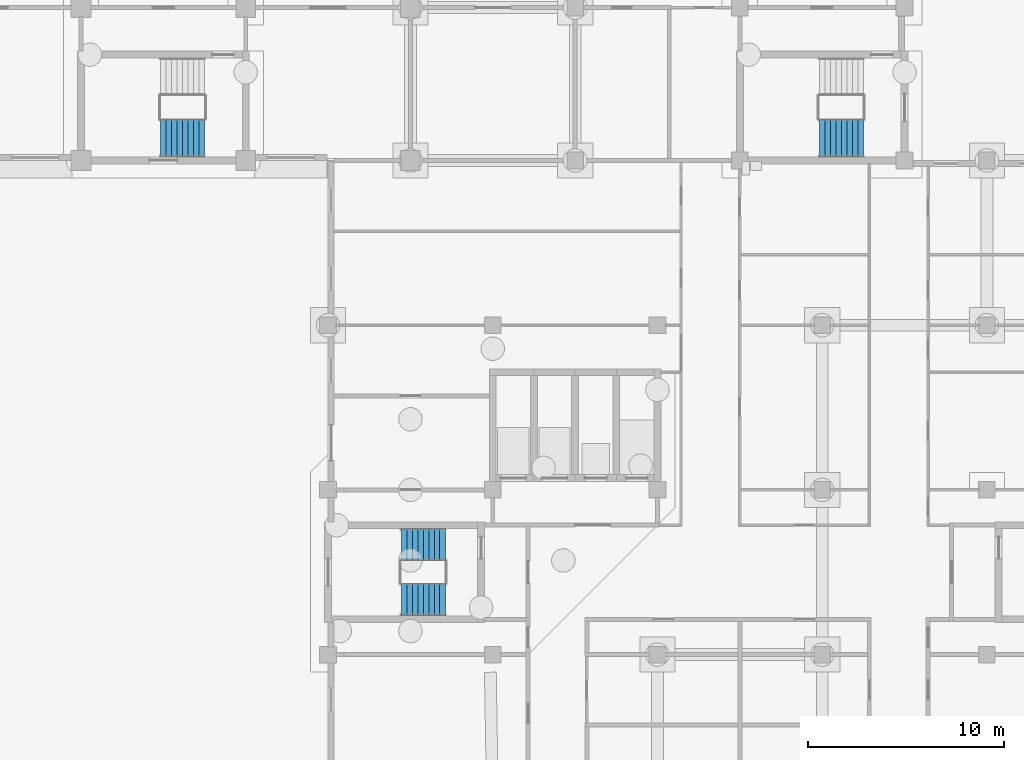
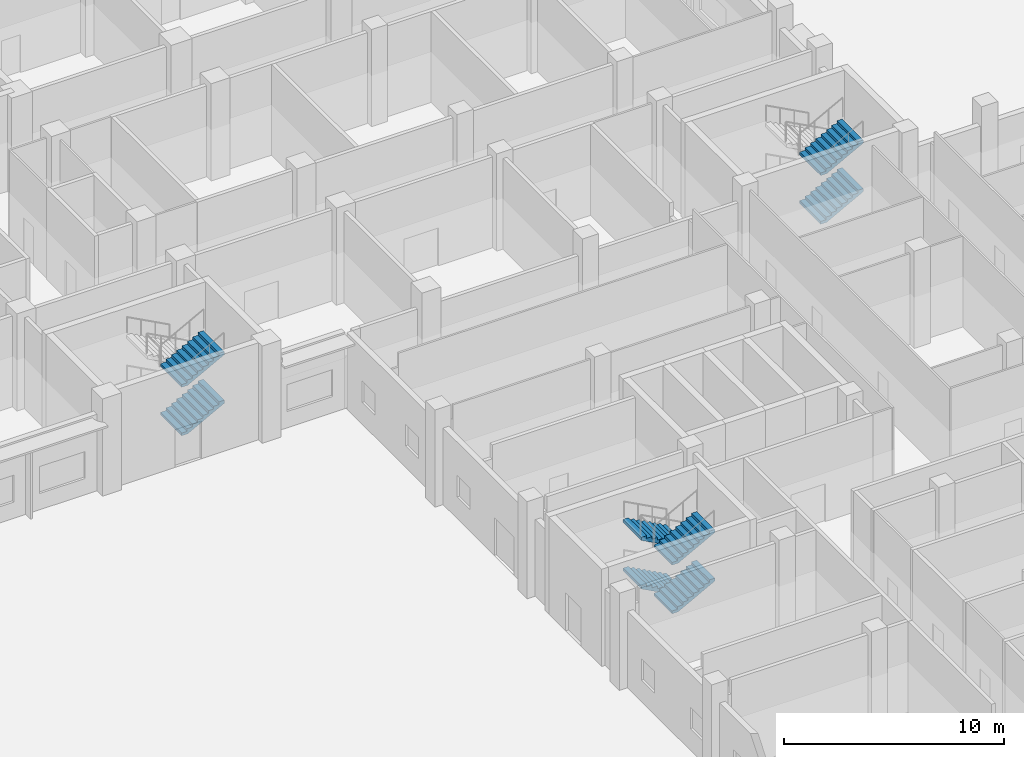
# One storey, part 99 of 146: 8 stair flights, 3 elements without a shape of their own.
"""IFC4 building model written with IfcOpenShell, lengths in metres."""

from ifc_helpers import new_model, si_unit, direction, frame, origin, place, context, subcontext, project, spatial, polyline, outline, extrude, material, type_object, element, aggregate, save


model = new_model("IFC4")

# Units and contexts
model_context = context("Model", 3, precision=1e-05, world=origin(), true_north=direction((0.0, 1.0)))
body_context = subcontext(model_context, "Body", "Model", "MODEL_VIEW")
ifc_project = project(units=[si_unit("LENGTHUNIT", "METRE"), si_unit("AREAUNIT", "SQUARE_METRE"), si_unit("VOLUMEUNIT", "CUBIC_METRE"), si_unit("PLANEANGLEUNIT", "RADIAN"), si_unit("MASSUNIT", "GRAM", prefix="KILO")], contexts=[model_context])

# Site, building, storey
site_placement = place(None, origin())
site = spatial("IfcSite", under=ifc_project, at=site_placement, CompositionType="ELEMENT")
building_placement = place(site_placement, origin())
building = spatial("IfcBuilding", under=site, at=building_placement, Name="Bougainvillea Quay General Hospital", CompositionType="ELEMENT")
storey_placement = place(building_placement, origin())
storey = spatial("IfcBuildingStorey", under=building, at=storey_placement, Name="L00", CompositionType="ELEMENT", Elevation=0.0)

# Stair, stair flights
ifc_material = material(Name="Concrete C35", Category="concrete")
stair_type_1 = type_object("IfcStairType", Name="Stair half-turn 1650 wide", PredefinedType="HALF_TURN_STAIR", material=ifc_material)
stair_1_placement = place(storey_placement, origin())
stair_1 = element("IfcStair", 1, at=stair_1_placement, inside=storey, type_object=stair_type_1, Name="L00 stair ST-T1", PredefinedType="HALF_TURN_STAIR")
stair_flight_type_1 = type_object("IfcStairFlightType", Name="Stair flight 1650", PredefinedType="STRAIGHT", material=ifc_material)
stair_flight_1_placement = place(storey_placement, frame((169.77490234375, 98.0, 0.0), z_axis=(0.0, 0.0, 1.0), x_axis=(-1.0, 0.0, 0.0)))
stair_flight_1 = element("IfcStairFlight", 2, at=stair_flight_1_placement, type_object=stair_flight_type_1, Name="ST-T1 flight 1", NumberOfRisers=9, NumberOfTreads=8, PredefinedType="STRAIGHT", RiserHeight=0.15, TreadLength=0.28, context=body_context, shape_type="SweptSolid", body=[
    extrude(outline(polyline([(-0.0029296875, 0.0), (-0.0029296875, 0.003662109375), (-0.0029296875, 0.00732421875), (-0.0029296875, 0.010986328125), (-0.0029296875, 0.0146484375), (-0.0029296875, 0.018310546875), (-0.0029296875, 0.02197265625), (-0.0029296875, 0.025634765625), (-0.0029296875, 0.029296875), (-0.0029296875, 0.032958984375), (-0.0029296875, 0.03662109375), (-0.0029296875, 0.040283203125), (-0.0029296875, 0.0439453125), (-0.0029296875, 0.047607421875), (-0.0029296875, 0.05126953125), (-0.0029296875, 0.054931640625), (-0.0029296875, 0.05859375), (-0.0029296875, 0.062255859375), (-0.0029296875, 0.06591796875), (-0.0029296875, 0.069580078125), (-0.0029296875, 0.0732421875), (-0.0029296875, 0.076904296875), (-0.0029296875, 0.08056640625), (-0.0029296875, 0.084228515625), (-0.0029296875, 0.087890625), (-0.0029296875, 0.091552734375), (-0.0029296875, 0.09521484375), (-0.0029296875, 0.098876953125), (-0.0029296875, 0.1025390625), (-0.0029296875, 0.106201171875), (-0.0029296875, 0.10986328125), (-0.0029296875, 0.113525390625), (-0.0029296875, 0.1171875), (-0.0029296875, 0.120849609375), (-0.0029296875, 0.12451171875), (-0.0029296875, 0.1279296875), (-0.0029296875, 0.131591796875), (-0.0029296875, 0.13525390625), (-0.0029296875, 0.138916015625), (-0.0029296875, 0.142578125), (-0.0029296875, 0.146240234375), (-0.0029296875, 0.14990234375), (0.280029296875, 0.14990234375), (0.280029296875, 0.300048828125), (0.56005859375, 0.300048828125), (0.56005859375, 0.449951171875), (0.840087890625, 0.449951171875), (0.840087890625, 0.60009765625), (1.1201171875, 0.60009765625), (1.1201171875, 0.75), (1.39990234375, 0.75), (1.39990234375, 0.89990234375), (1.679931640625, 0.89990234375), (1.679931640625, 1.050048828125), (1.9599609375, 1.050048828125), (1.9599609375, 1.199951171875), (2.242919921875, 1.199951171875), (2.242919921875, 1.19580078125), (2.242919921875, 1.191650390625), (2.242919921875, 1.1875), (2.242919921875, 1.183349609375), (2.242919921875, 1.17919921875), (2.242919921875, 1.175048828125), (2.242919921875, 1.1708984375), (2.242919921875, 1.166748046875), (2.242919921875, 1.16259765625), (2.242919921875, 1.158447265625), (2.242919921875, 1.154296875), (2.242919921875, 1.150146484375), (2.242919921875, 1.14599609375), (2.242919921875, 1.141845703125), (2.242919921875, 1.1376953125), (2.242919921875, 1.133544921875), (2.242919921875, 1.12939453125), (2.242919921875, 1.125244140625), (2.242919921875, 1.12109375), (2.242919921875, 1.116943359375), (2.242919921875, 1.11279296875), (2.242919921875, 1.108642578125), (2.242919921875, 1.1044921875), (2.242919921875, 1.100341796875), (2.242919921875, 1.09619140625), (2.242919921875, 1.092041015625), (2.242919921875, 1.087890625), (2.242919921875, 1.083984375), (2.242919921875, 1.079833984375), (2.242919921875, 1.07568359375), (2.242919921875, 1.071533203125), (2.242919921875, 1.0673828125), (2.242919921875, 1.063232421875), (2.242919921875, 1.05908203125), (2.242919921875, 1.054931640625), (2.242919921875, 1.05078125), (2.242919921875, 1.046630859375), (2.242919921875, 1.04248046875), (2.242919921875, 1.038330078125), (2.242919921875, 1.0341796875), (2.242919921875, 1.030029296875), (0.3173828125, 0.0), (-0.0029296875, 0.0)])), frame((0.0, 0.824951171875, 0.0), z_axis=(0.0, -1.0, 0.0), x_axis=(1.0, 0.0, 0.0)), (0.0, 0.0, 1.0), 1.64990234375),
])
stair_flight_2_placement = place(storey_placement, frame((167.534912109375, 95.199951171875, 1.35009765625), z_axis=(0.0, 0.0, 1.0), x_axis=(1.0, 0.0, 0.0)))
stair_flight_2 = element("IfcStairFlight", 3, at=stair_flight_2_placement, type_object=stair_flight_type_1, Name="ST-T1 flight 2", NumberOfRisers=9, NumberOfTreads=8, PredefinedType="STRAIGHT", RiserHeight=0.15, TreadLength=0.28, context=body_context, shape_type="SweptSolid", body=[
    extrude(outline(polyline([(-0.0029296875, 0.0), (-0.0029296875, 0.003662109375), (-0.0029296875, 0.00732421875), (-0.0029296875, 0.010986328125), (-0.0029296875, 0.0146484375), (-0.0029296875, 0.018310546875), (-0.0029296875, 0.02197265625), (-0.0029296875, 0.025634765625), (-0.0029296875, 0.029296875), (-0.0029296875, 0.032958984375), (-0.0029296875, 0.03662109375), (-0.0029296875, 0.040283203125), (-0.0029296875, 0.0439453125), (-0.0029296875, 0.047607421875), (-0.0029296875, 0.05126953125), (-0.0029296875, 0.054931640625), (-0.0029296875, 0.05859375), (-0.0029296875, 0.062255859375), (-0.0029296875, 0.06591796875), (-0.0029296875, 0.069580078125), (-0.0029296875, 0.0732421875), (-0.0029296875, 0.076904296875), (-0.0029296875, 0.08056640625), (-0.0029296875, 0.084228515625), (-0.0029296875, 0.087890625), (-0.0029296875, 0.091552734375), (-0.0029296875, 0.09521484375), (-0.0029296875, 0.098876953125), (-0.0029296875, 0.1025390625), (-0.0029296875, 0.106201171875), (-0.0029296875, 0.10986328125), (-0.0029296875, 0.113525390625), (-0.0029296875, 0.1171875), (-0.0029296875, 0.120849609375), (-0.0029296875, 0.12451171875), (-0.0029296875, 0.1279296875), (-0.0029296875, 0.131591796875), (-0.0029296875, 0.13525390625), (-0.0029296875, 0.138916015625), (-0.0029296875, 0.142578125), (-0.0029296875, 0.146240234375), (-0.0029296875, 0.14990234375), (0.280029296875, 0.14990234375), (0.280029296875, 0.300048828125), (0.56005859375, 0.300048828125), (0.56005859375, 0.449951171875), (0.840087890625, 0.449951171875), (0.840087890625, 0.60009765625), (1.1201171875, 0.60009765625), (1.1201171875, 0.75), (1.39990234375, 0.75), (1.39990234375, 0.89990234375), (1.679931640625, 0.89990234375), (1.679931640625, 1.050048828125), (1.9599609375, 1.050048828125), (1.9599609375, 1.199951171875), (2.242919921875, 1.199951171875), (2.242919921875, 1.19580078125), (2.242919921875, 1.191650390625), (2.242919921875, 1.1875), (2.242919921875, 1.183349609375), (2.242919921875, 1.17919921875), (2.242919921875, 1.175048828125), (2.242919921875, 1.1708984375), (2.242919921875, 1.166748046875), (2.242919921875, 1.16259765625), (2.242919921875, 1.158447265625), (2.242919921875, 1.154296875), (2.242919921875, 1.150146484375), (2.242919921875, 1.14599609375), (2.242919921875, 1.141845703125), (2.242919921875, 1.1376953125), (2.242919921875, 1.133544921875), (2.242919921875, 1.12939453125), (2.242919921875, 1.125244140625), (2.242919921875, 1.12109375), (2.242919921875, 1.116943359375), (2.242919921875, 1.11279296875), (2.242919921875, 1.108642578125), (2.242919921875, 1.1044921875), (2.242919921875, 1.100341796875), (2.242919921875, 1.09619140625), (2.242919921875, 1.092041015625), (2.242919921875, 1.087890625), (2.242919921875, 1.083984375), (2.242919921875, 1.079833984375), (2.242919921875, 1.07568359375), (2.242919921875, 1.071533203125), (2.242919921875, 1.0673828125), (2.242919921875, 1.063232421875), (2.242919921875, 1.05908203125), (2.242919921875, 1.054931640625), (2.242919921875, 1.05078125), (2.242919921875, 1.046630859375), (2.242919921875, 1.04248046875), (2.242919921875, 1.038330078125), (2.242919921875, 1.0341796875), (2.242919921875, 1.030029296875), (0.3173828125, 0.0), (-0.0029296875, 0.0)])), frame((0.0, 0.824951171875, 0.0), z_axis=(0.0, -1.0, 0.0), x_axis=(1.0, 0.0, 0.0)), (0.0, 0.0, 1.0), 1.64990234375),
])
stair_flight_3_placement = place(storey_placement, frame((169.77490234375, 98.0, 2.699951171875), z_axis=(0.0, 0.0, 1.0), x_axis=(-1.0, 0.0, 0.0)))
stair_flight_3 = element("IfcStairFlight", 4, at=stair_flight_3_placement, type_object=stair_flight_type_1, Name="ST-T1 flight 3", NumberOfRisers=9, NumberOfTreads=8, PredefinedType="STRAIGHT", RiserHeight=0.15, TreadLength=0.28, context=body_context, shape_type="SweptSolid", body=[
    extrude(outline(polyline([(-0.0029296875, 0.0), (-0.0029296875, 0.003662109375), (-0.0029296875, 0.00732421875), (-0.0029296875, 0.010986328125), (-0.0029296875, 0.0146484375), (-0.0029296875, 0.018310546875), (-0.0029296875, 0.02197265625), (-0.0029296875, 0.025634765625), (-0.0029296875, 0.029296875), (-0.0029296875, 0.032958984375), (-0.0029296875, 0.03662109375), (-0.0029296875, 0.040283203125), (-0.0029296875, 0.0439453125), (-0.0029296875, 0.047607421875), (-0.0029296875, 0.05126953125), (-0.0029296875, 0.054931640625), (-0.0029296875, 0.05859375), (-0.0029296875, 0.062255859375), (-0.0029296875, 0.06591796875), (-0.0029296875, 0.069580078125), (-0.0029296875, 0.0732421875), (-0.0029296875, 0.076904296875), (-0.0029296875, 0.08056640625), (-0.0029296875, 0.084228515625), (-0.0029296875, 0.087890625), (-0.0029296875, 0.091552734375), (-0.0029296875, 0.09521484375), (-0.0029296875, 0.098876953125), (-0.0029296875, 0.1025390625), (-0.0029296875, 0.106201171875), (-0.0029296875, 0.10986328125), (-0.0029296875, 0.113525390625), (-0.0029296875, 0.1171875), (-0.0029296875, 0.120849609375), (-0.0029296875, 0.12451171875), (-0.0029296875, 0.1279296875), (-0.0029296875, 0.131591796875), (-0.0029296875, 0.13525390625), (-0.0029296875, 0.138916015625), (-0.0029296875, 0.142578125), (-0.0029296875, 0.146240234375), (-0.0029296875, 0.14990234375), (0.280029296875, 0.14990234375), (0.280029296875, 0.300048828125), (0.56005859375, 0.300048828125), (0.56005859375, 0.449951171875), (0.840087890625, 0.449951171875), (0.840087890625, 0.60009765625), (1.1201171875, 0.60009765625), (1.1201171875, 0.75), (1.39990234375, 0.75), (1.39990234375, 0.89990234375), (1.679931640625, 0.89990234375), (1.679931640625, 1.050048828125), (1.9599609375, 1.050048828125), (1.9599609375, 1.199951171875), (2.242919921875, 1.199951171875), (2.242919921875, 1.19580078125), (2.242919921875, 1.191650390625), (2.242919921875, 1.1875), (2.242919921875, 1.183349609375), (2.242919921875, 1.17919921875), (2.242919921875, 1.175048828125), (2.242919921875, 1.1708984375), (2.242919921875, 1.166748046875), (2.242919921875, 1.16259765625), (2.242919921875, 1.158447265625), (2.242919921875, 1.154296875), (2.242919921875, 1.150146484375), (2.242919921875, 1.14599609375), (2.242919921875, 1.141845703125), (2.242919921875, 1.1376953125), (2.242919921875, 1.133544921875), (2.242919921875, 1.12939453125), (2.242919921875, 1.125244140625), (2.242919921875, 1.12109375), (2.242919921875, 1.116943359375), (2.242919921875, 1.11279296875), (2.242919921875, 1.108642578125), (2.242919921875, 1.1044921875), (2.242919921875, 1.100341796875), (2.242919921875, 1.09619140625), (2.242919921875, 1.092041015625), (2.242919921875, 1.087890625), (2.242919921875, 1.083984375), (2.242919921875, 1.079833984375), (2.242919921875, 1.07568359375), (2.242919921875, 1.071533203125), (2.242919921875, 1.0673828125), (2.242919921875, 1.063232421875), (2.242919921875, 1.05908203125), (2.242919921875, 1.054931640625), (2.242919921875, 1.05078125), (2.242919921875, 1.046630859375), (2.242919921875, 1.04248046875), (2.242919921875, 1.038330078125), (2.242919921875, 1.0341796875), (2.242919921875, 1.030029296875), (0.3173828125, 0.0), (-0.0029296875, 0.0)])), frame((0.0, 0.824951171875, 0.0), z_axis=(0.0, -1.0, 0.0), x_axis=(1.0, 0.0, 0.0)), (0.0, 0.0, 1.0), 1.64990234375),
])
stair_flight_4_placement = place(storey_placement, frame((167.534912109375, 95.199951171875, 4.050048828125), z_axis=(0.0, 0.0, 1.0), x_axis=(1.0, 0.0, 0.0)))
stair_flight_4 = element("IfcStairFlight", 5, at=stair_flight_4_placement, type_object=stair_flight_type_1, Name="ST-T1 flight 4", NumberOfRisers=9, NumberOfTreads=8, PredefinedType="STRAIGHT", RiserHeight=0.15, TreadLength=0.28, context=body_context, shape_type="SweptSolid", body=[
    extrude(outline(polyline([(-0.0029296875, 0.0), (-0.0029296875, 0.003662109375), (-0.0029296875, 0.00732421875), (-0.0029296875, 0.010986328125), (-0.0029296875, 0.0146484375), (-0.0029296875, 0.018310546875), (-0.0029296875, 0.02197265625), (-0.0029296875, 0.025634765625), (-0.0029296875, 0.029296875), (-0.0029296875, 0.032958984375), (-0.0029296875, 0.03662109375), (-0.0029296875, 0.040283203125), (-0.0029296875, 0.0439453125), (-0.0029296875, 0.047607421875), (-0.0029296875, 0.05126953125), (-0.0029296875, 0.054931640625), (-0.0029296875, 0.05859375), (-0.0029296875, 0.062255859375), (-0.0029296875, 0.06591796875), (-0.0029296875, 0.069580078125), (-0.0029296875, 0.0732421875), (-0.0029296875, 0.076904296875), (-0.0029296875, 0.08056640625), (-0.0029296875, 0.084228515625), (-0.0029296875, 0.087890625), (-0.0029296875, 0.091552734375), (-0.0029296875, 0.09521484375), (-0.0029296875, 0.098876953125), (-0.0029296875, 0.1025390625), (-0.0029296875, 0.106201171875), (-0.0029296875, 0.10986328125), (-0.0029296875, 0.113525390625), (-0.0029296875, 0.1171875), (-0.0029296875, 0.120849609375), (-0.0029296875, 0.12451171875), (-0.0029296875, 0.1279296875), (-0.0029296875, 0.131591796875), (-0.0029296875, 0.13525390625), (-0.0029296875, 0.138916015625), (-0.0029296875, 0.142578125), (-0.0029296875, 0.146240234375), (-0.0029296875, 0.14990234375), (0.280029296875, 0.14990234375), (0.280029296875, 0.300048828125), (0.56005859375, 0.300048828125), (0.56005859375, 0.449951171875), (0.840087890625, 0.449951171875), (0.840087890625, 0.60009765625), (1.1201171875, 0.60009765625), (1.1201171875, 0.75), (1.39990234375, 0.75), (1.39990234375, 0.89990234375), (1.679931640625, 0.89990234375), (1.679931640625, 1.050048828125), (1.9599609375, 1.050048828125), (1.9599609375, 1.199951171875), (2.242919921875, 1.199951171875), (2.242919921875, 1.19580078125), (2.242919921875, 1.191650390625), (2.242919921875, 1.1875), (2.242919921875, 1.183349609375), (2.242919921875, 1.17919921875), (2.242919921875, 1.175048828125), (2.242919921875, 1.1708984375), (2.242919921875, 1.166748046875), (2.242919921875, 1.16259765625), (2.242919921875, 1.158447265625), (2.242919921875, 1.154296875), (2.242919921875, 1.150146484375), (2.242919921875, 1.14599609375), (2.242919921875, 1.141845703125), (2.242919921875, 1.1376953125), (2.242919921875, 1.133544921875), (2.242919921875, 1.12939453125), (2.242919921875, 1.125244140625), (2.242919921875, 1.12109375), (2.242919921875, 1.116943359375), (2.242919921875, 1.11279296875), (2.242919921875, 1.108642578125), (2.242919921875, 1.1044921875), (2.242919921875, 1.100341796875), (2.242919921875, 1.09619140625), (2.242919921875, 1.092041015625), (2.242919921875, 1.087890625), (2.242919921875, 1.083984375), (2.242919921875, 1.079833984375), (2.242919921875, 1.07568359375), (2.242919921875, 1.071533203125), (2.242919921875, 1.0673828125), (2.242919921875, 1.063232421875), (2.242919921875, 1.05908203125), (2.242919921875, 1.054931640625), (2.242919921875, 1.05078125), (2.242919921875, 1.046630859375), (2.242919921875, 1.04248046875), (2.242919921875, 1.038330078125), (2.242919921875, 1.0341796875), (2.242919921875, 1.030029296875), (0.3173828125, 0.0), (-0.0029296875, 0.0)])), frame((0.0, 0.824951171875, 0.0), z_axis=(0.0, -1.0, 0.0), x_axis=(1.0, 0.0, 0.0)), (0.0, 0.0, 1.0), 1.64990234375),
])
aggregate(stair_1, [stair_flight_1, stair_flight_2, stair_flight_3, stair_flight_4])

stair_type_2 = type_object("IfcStairType", Name="Stair half-turn 1925 wide", PredefinedType="HALF_TURN_STAIR", material=ifc_material)
stair_2_placement = place(storey_placement, origin())
stair_2 = element("IfcStair", 6, at=stair_2_placement, inside=storey, type_object=stair_type_2, Name="L00 stair ST-D4", PredefinedType="HALF_TURN_STAIR")
stair_flight_type_2 = type_object("IfcStairFlightType", Name="Stair flight 1925", PredefinedType="STRAIGHT", material=ifc_material)
stair_flight_5_placement = place(storey_placement, frame((188.860107421875, 118.737548828125, 1.35009765625), z_axis=(0.0, 0.0, 1.0), x_axis=(1.0, 0.0, 0.0)))
stair_flight_5 = element("IfcStairFlight", 7, at=stair_flight_5_placement, type_object=stair_flight_type_2, Name="ST-D4 flight 2", NumberOfRisers=9, NumberOfTreads=8, PredefinedType="STRAIGHT", RiserHeight=0.15, TreadLength=0.28, context=body_context, shape_type="SweptSolid", body=[
    extrude(outline(polyline([(-0.0029296875, 0.0), (-0.0029296875, 0.003662109375), (-0.0029296875, 0.00732421875), (-0.0029296875, 0.010986328125), (-0.0029296875, 0.0146484375), (-0.0029296875, 0.018310546875), (-0.0029296875, 0.02197265625), (-0.0029296875, 0.025634765625), (-0.0029296875, 0.029296875), (-0.0029296875, 0.032958984375), (-0.0029296875, 0.03662109375), (-0.0029296875, 0.040283203125), (-0.0029296875, 0.0439453125), (-0.0029296875, 0.047607421875), (-0.0029296875, 0.05126953125), (-0.0029296875, 0.054931640625), (-0.0029296875, 0.05859375), (-0.0029296875, 0.062255859375), (-0.0029296875, 0.06591796875), (-0.0029296875, 0.069580078125), (-0.0029296875, 0.0732421875), (-0.0029296875, 0.076904296875), (-0.0029296875, 0.08056640625), (-0.0029296875, 0.084228515625), (-0.0029296875, 0.087890625), (-0.0029296875, 0.091552734375), (-0.0029296875, 0.09521484375), (-0.0029296875, 0.098876953125), (-0.0029296875, 0.1025390625), (-0.0029296875, 0.106201171875), (-0.0029296875, 0.10986328125), (-0.0029296875, 0.113525390625), (-0.0029296875, 0.1171875), (-0.0029296875, 0.120849609375), (-0.0029296875, 0.12451171875), (-0.0029296875, 0.1279296875), (-0.0029296875, 0.131591796875), (-0.0029296875, 0.13525390625), (-0.0029296875, 0.138916015625), (-0.0029296875, 0.142578125), (-0.0029296875, 0.146240234375), (-0.0029296875, 0.14990234375), (0.280029296875, 0.14990234375), (0.280029296875, 0.300048828125), (0.56005859375, 0.300048828125), (0.56005859375, 0.449951171875), (0.840087890625, 0.449951171875), (0.840087890625, 0.60009765625), (1.1201171875, 0.60009765625), (1.1201171875, 0.75), (1.39990234375, 0.75), (1.39990234375, 0.89990234375), (1.679931640625, 0.89990234375), (1.679931640625, 1.050048828125), (1.9599609375, 1.050048828125), (1.9599609375, 1.199951171875), (2.242919921875, 1.199951171875), (2.242919921875, 1.19580078125), (2.242919921875, 1.191650390625), (2.242919921875, 1.1875), (2.242919921875, 1.183349609375), (2.242919921875, 1.17919921875), (2.242919921875, 1.175048828125), (2.242919921875, 1.1708984375), (2.242919921875, 1.166748046875), (2.242919921875, 1.16259765625), (2.242919921875, 1.158447265625), (2.242919921875, 1.154296875), (2.242919921875, 1.150146484375), (2.242919921875, 1.14599609375), (2.242919921875, 1.141845703125), (2.242919921875, 1.1376953125), (2.242919921875, 1.133544921875), (2.242919921875, 1.12939453125), (2.242919921875, 1.125244140625), (2.242919921875, 1.12109375), (2.242919921875, 1.116943359375), (2.242919921875, 1.11279296875), (2.242919921875, 1.108642578125), (2.242919921875, 1.1044921875), (2.242919921875, 1.100341796875), (2.242919921875, 1.09619140625), (2.242919921875, 1.092041015625), (2.242919921875, 1.087890625), (2.242919921875, 1.083984375), (2.242919921875, 1.079833984375), (2.242919921875, 1.07568359375), (2.242919921875, 1.071533203125), (2.242919921875, 1.0673828125), (2.242919921875, 1.063232421875), (2.242919921875, 1.05908203125), (2.242919921875, 1.054931640625), (2.242919921875, 1.05078125), (2.242919921875, 1.046630859375), (2.242919921875, 1.04248046875), (2.242919921875, 1.038330078125), (2.242919921875, 1.0341796875), (2.242919921875, 1.030029296875), (0.3173828125, 0.0), (-0.0029296875, 0.0)])), frame((0.0, 0.96240234375, 0.0), z_axis=(0.0, -1.0, 0.0), x_axis=(1.0, 0.0, 0.0)), (0.0, 0.0, 1.0), 1.925048828125),
])
stair_flight_6_placement = place(storey_placement, frame((188.860107421875, 118.737548828125, 4.050048828125), z_axis=(0.0, 0.0, 1.0), x_axis=(1.0, 0.0, 0.0)))
stair_flight_6 = element("IfcStairFlight", 8, at=stair_flight_6_placement, type_object=stair_flight_type_2, Name="ST-D4 flight 4", NumberOfRisers=9, NumberOfTreads=8, PredefinedType="STRAIGHT", RiserHeight=0.15, TreadLength=0.28, context=body_context, shape_type="SweptSolid", body=[
    extrude(outline(polyline([(-0.0029296875, 0.0), (-0.0029296875, 0.003662109375), (-0.0029296875, 0.00732421875), (-0.0029296875, 0.010986328125), (-0.0029296875, 0.0146484375), (-0.0029296875, 0.018310546875), (-0.0029296875, 0.02197265625), (-0.0029296875, 0.025634765625), (-0.0029296875, 0.029296875), (-0.0029296875, 0.032958984375), (-0.0029296875, 0.03662109375), (-0.0029296875, 0.040283203125), (-0.0029296875, 0.0439453125), (-0.0029296875, 0.047607421875), (-0.0029296875, 0.05126953125), (-0.0029296875, 0.054931640625), (-0.0029296875, 0.05859375), (-0.0029296875, 0.062255859375), (-0.0029296875, 0.06591796875), (-0.0029296875, 0.069580078125), (-0.0029296875, 0.0732421875), (-0.0029296875, 0.076904296875), (-0.0029296875, 0.08056640625), (-0.0029296875, 0.084228515625), (-0.0029296875, 0.087890625), (-0.0029296875, 0.091552734375), (-0.0029296875, 0.09521484375), (-0.0029296875, 0.098876953125), (-0.0029296875, 0.1025390625), (-0.0029296875, 0.106201171875), (-0.0029296875, 0.10986328125), (-0.0029296875, 0.113525390625), (-0.0029296875, 0.1171875), (-0.0029296875, 0.120849609375), (-0.0029296875, 0.12451171875), (-0.0029296875, 0.1279296875), (-0.0029296875, 0.131591796875), (-0.0029296875, 0.13525390625), (-0.0029296875, 0.138916015625), (-0.0029296875, 0.142578125), (-0.0029296875, 0.146240234375), (-0.0029296875, 0.14990234375), (0.280029296875, 0.14990234375), (0.280029296875, 0.300048828125), (0.56005859375, 0.300048828125), (0.56005859375, 0.449951171875), (0.840087890625, 0.449951171875), (0.840087890625, 0.60009765625), (1.1201171875, 0.60009765625), (1.1201171875, 0.75), (1.39990234375, 0.75), (1.39990234375, 0.89990234375), (1.679931640625, 0.89990234375), (1.679931640625, 1.050048828125), (1.9599609375, 1.050048828125), (1.9599609375, 1.199951171875), (2.242919921875, 1.199951171875), (2.242919921875, 1.19580078125), (2.242919921875, 1.191650390625), (2.242919921875, 1.1875), (2.242919921875, 1.183349609375), (2.242919921875, 1.17919921875), (2.242919921875, 1.175048828125), (2.242919921875, 1.1708984375), (2.242919921875, 1.166748046875), (2.242919921875, 1.16259765625), (2.242919921875, 1.158447265625), (2.242919921875, 1.154296875), (2.242919921875, 1.150146484375), (2.242919921875, 1.14599609375), (2.242919921875, 1.141845703125), (2.242919921875, 1.1376953125), (2.242919921875, 1.133544921875), (2.242919921875, 1.12939453125), (2.242919921875, 1.125244140625), (2.242919921875, 1.12109375), (2.242919921875, 1.116943359375), (2.242919921875, 1.11279296875), (2.242919921875, 1.108642578125), (2.242919921875, 1.1044921875), (2.242919921875, 1.100341796875), (2.242919921875, 1.09619140625), (2.242919921875, 1.092041015625), (2.242919921875, 1.087890625), (2.242919921875, 1.083984375), (2.242919921875, 1.079833984375), (2.242919921875, 1.07568359375), (2.242919921875, 1.071533203125), (2.242919921875, 1.0673828125), (2.242919921875, 1.063232421875), (2.242919921875, 1.05908203125), (2.242919921875, 1.054931640625), (2.242919921875, 1.05078125), (2.242919921875, 1.046630859375), (2.242919921875, 1.04248046875), (2.242919921875, 1.038330078125), (2.242919921875, 1.0341796875), (2.242919921875, 1.030029296875), (0.3173828125, 0.0), (-0.0029296875, 0.0)])), frame((0.0, 0.96240234375, 0.0), z_axis=(0.0, -1.0, 0.0), x_axis=(1.0, 0.0, 0.0)), (0.0, 0.0, 1.0), 1.925048828125),
])
aggregate(stair_2, [stair_flight_5, stair_flight_6])

stair_3_placement = place(storey_placement, origin())
stair_3 = element("IfcStair", 9, at=stair_3_placement, inside=storey, type_object=stair_type_2, Name="L00 stair ST-B4", PredefinedType="HALF_TURN_STAIR")
stair_flight_7_placement = place(storey_placement, frame((155.260009765625, 118.737548828125, 1.35009765625), z_axis=(0.0, 0.0, 1.0), x_axis=(1.0, 0.0, 0.0)))
stair_flight_7 = element("IfcStairFlight", 10, at=stair_flight_7_placement, type_object=stair_flight_type_2, Name="ST-B4 flight 2", NumberOfRisers=9, NumberOfTreads=8, PredefinedType="STRAIGHT", RiserHeight=0.15, TreadLength=0.28, context=body_context, shape_type="SweptSolid", body=[
    extrude(outline(polyline([(-0.0029296875, 0.0), (-0.0029296875, 0.003662109375), (-0.0029296875, 0.00732421875), (-0.0029296875, 0.010986328125), (-0.0029296875, 0.0146484375), (-0.0029296875, 0.018310546875), (-0.0029296875, 0.02197265625), (-0.0029296875, 0.025634765625), (-0.0029296875, 0.029296875), (-0.0029296875, 0.032958984375), (-0.0029296875, 0.03662109375), (-0.0029296875, 0.040283203125), (-0.0029296875, 0.0439453125), (-0.0029296875, 0.047607421875), (-0.0029296875, 0.05126953125), (-0.0029296875, 0.054931640625), (-0.0029296875, 0.05859375), (-0.0029296875, 0.062255859375), (-0.0029296875, 0.06591796875), (-0.0029296875, 0.069580078125), (-0.0029296875, 0.0732421875), (-0.0029296875, 0.076904296875), (-0.0029296875, 0.08056640625), (-0.0029296875, 0.084228515625), (-0.0029296875, 0.087890625), (-0.0029296875, 0.091552734375), (-0.0029296875, 0.09521484375), (-0.0029296875, 0.098876953125), (-0.0029296875, 0.1025390625), (-0.0029296875, 0.106201171875), (-0.0029296875, 0.10986328125), (-0.0029296875, 0.113525390625), (-0.0029296875, 0.1171875), (-0.0029296875, 0.120849609375), (-0.0029296875, 0.12451171875), (-0.0029296875, 0.1279296875), (-0.0029296875, 0.131591796875), (-0.0029296875, 0.13525390625), (-0.0029296875, 0.138916015625), (-0.0029296875, 0.142578125), (-0.0029296875, 0.146240234375), (-0.0029296875, 0.14990234375), (0.280029296875, 0.14990234375), (0.280029296875, 0.300048828125), (0.56005859375, 0.300048828125), (0.56005859375, 0.449951171875), (0.840087890625, 0.449951171875), (0.840087890625, 0.60009765625), (1.1201171875, 0.60009765625), (1.1201171875, 0.75), (1.39990234375, 0.75), (1.39990234375, 0.89990234375), (1.679931640625, 0.89990234375), (1.679931640625, 1.050048828125), (1.9599609375, 1.050048828125), (1.9599609375, 1.199951171875), (2.242919921875, 1.199951171875), (2.242919921875, 1.19580078125), (2.242919921875, 1.191650390625), (2.242919921875, 1.1875), (2.242919921875, 1.183349609375), (2.242919921875, 1.17919921875), (2.242919921875, 1.175048828125), (2.242919921875, 1.1708984375), (2.242919921875, 1.166748046875), (2.242919921875, 1.16259765625), (2.242919921875, 1.158447265625), (2.242919921875, 1.154296875), (2.242919921875, 1.150146484375), (2.242919921875, 1.14599609375), (2.242919921875, 1.141845703125), (2.242919921875, 1.1376953125), (2.242919921875, 1.133544921875), (2.242919921875, 1.12939453125), (2.242919921875, 1.125244140625), (2.242919921875, 1.12109375), (2.242919921875, 1.116943359375), (2.242919921875, 1.11279296875), (2.242919921875, 1.108642578125), (2.242919921875, 1.1044921875), (2.242919921875, 1.100341796875), (2.242919921875, 1.09619140625), (2.242919921875, 1.092041015625), (2.242919921875, 1.087890625), (2.242919921875, 1.083984375), (2.242919921875, 1.079833984375), (2.242919921875, 1.07568359375), (2.242919921875, 1.071533203125), (2.242919921875, 1.0673828125), (2.242919921875, 1.063232421875), (2.242919921875, 1.05908203125), (2.242919921875, 1.054931640625), (2.242919921875, 1.05078125), (2.242919921875, 1.046630859375), (2.242919921875, 1.04248046875), (2.242919921875, 1.038330078125), (2.242919921875, 1.0341796875), (2.242919921875, 1.030029296875), (0.3173828125, 0.0), (-0.0029296875, 0.0)])), frame((0.0, 0.96240234375, 0.0), z_axis=(0.0, -1.0, 0.0), x_axis=(1.0, 0.0, 0.0)), (0.0, 0.0, 1.0), 1.925048828125),
])
stair_flight_8_placement = place(storey_placement, frame((155.260009765625, 118.737548828125, 4.050048828125), z_axis=(0.0, 0.0, 1.0), x_axis=(1.0, 0.0, 0.0)))
stair_flight_8 = element("IfcStairFlight", 11, at=stair_flight_8_placement, type_object=stair_flight_type_2, Name="ST-B4 flight 4", NumberOfRisers=9, NumberOfTreads=8, PredefinedType="STRAIGHT", RiserHeight=0.15, TreadLength=0.28, context=body_context, shape_type="SweptSolid", body=[
    extrude(outline(polyline([(-0.0029296875, 0.0), (-0.0029296875, 0.003662109375), (-0.0029296875, 0.00732421875), (-0.0029296875, 0.010986328125), (-0.0029296875, 0.0146484375), (-0.0029296875, 0.018310546875), (-0.0029296875, 0.02197265625), (-0.0029296875, 0.025634765625), (-0.0029296875, 0.029296875), (-0.0029296875, 0.032958984375), (-0.0029296875, 0.03662109375), (-0.0029296875, 0.040283203125), (-0.0029296875, 0.0439453125), (-0.0029296875, 0.047607421875), (-0.0029296875, 0.05126953125), (-0.0029296875, 0.054931640625), (-0.0029296875, 0.05859375), (-0.0029296875, 0.062255859375), (-0.0029296875, 0.06591796875), (-0.0029296875, 0.069580078125), (-0.0029296875, 0.0732421875), (-0.0029296875, 0.076904296875), (-0.0029296875, 0.08056640625), (-0.0029296875, 0.084228515625), (-0.0029296875, 0.087890625), (-0.0029296875, 0.091552734375), (-0.0029296875, 0.09521484375), (-0.0029296875, 0.098876953125), (-0.0029296875, 0.1025390625), (-0.0029296875, 0.106201171875), (-0.0029296875, 0.10986328125), (-0.0029296875, 0.113525390625), (-0.0029296875, 0.1171875), (-0.0029296875, 0.120849609375), (-0.0029296875, 0.12451171875), (-0.0029296875, 0.1279296875), (-0.0029296875, 0.131591796875), (-0.0029296875, 0.13525390625), (-0.0029296875, 0.138916015625), (-0.0029296875, 0.142578125), (-0.0029296875, 0.146240234375), (-0.0029296875, 0.14990234375), (0.280029296875, 0.14990234375), (0.280029296875, 0.300048828125), (0.56005859375, 0.300048828125), (0.56005859375, 0.449951171875), (0.840087890625, 0.449951171875), (0.840087890625, 0.60009765625), (1.1201171875, 0.60009765625), (1.1201171875, 0.75), (1.39990234375, 0.75), (1.39990234375, 0.89990234375), (1.679931640625, 0.89990234375), (1.679931640625, 1.050048828125), (1.9599609375, 1.050048828125), (1.9599609375, 1.199951171875), (2.242919921875, 1.199951171875), (2.242919921875, 1.19580078125), (2.242919921875, 1.191650390625), (2.242919921875, 1.1875), (2.242919921875, 1.183349609375), (2.242919921875, 1.17919921875), (2.242919921875, 1.175048828125), (2.242919921875, 1.1708984375), (2.242919921875, 1.166748046875), (2.242919921875, 1.16259765625), (2.242919921875, 1.158447265625), (2.242919921875, 1.154296875), (2.242919921875, 1.150146484375), (2.242919921875, 1.14599609375), (2.242919921875, 1.141845703125), (2.242919921875, 1.1376953125), (2.242919921875, 1.133544921875), (2.242919921875, 1.12939453125), (2.242919921875, 1.125244140625), (2.242919921875, 1.12109375), (2.242919921875, 1.116943359375), (2.242919921875, 1.11279296875), (2.242919921875, 1.108642578125), (2.242919921875, 1.1044921875), (2.242919921875, 1.100341796875), (2.242919921875, 1.09619140625), (2.242919921875, 1.092041015625), (2.242919921875, 1.087890625), (2.242919921875, 1.083984375), (2.242919921875, 1.079833984375), (2.242919921875, 1.07568359375), (2.242919921875, 1.071533203125), (2.242919921875, 1.0673828125), (2.242919921875, 1.063232421875), (2.242919921875, 1.05908203125), (2.242919921875, 1.054931640625), (2.242919921875, 1.05078125), (2.242919921875, 1.046630859375), (2.242919921875, 1.04248046875), (2.242919921875, 1.038330078125), (2.242919921875, 1.0341796875), (2.242919921875, 1.030029296875), (0.3173828125, 0.0), (-0.0029296875, 0.0)])), frame((0.0, 0.96240234375, 0.0), z_axis=(0.0, -1.0, 0.0), x_axis=(1.0, 0.0, 0.0)), (0.0, 0.0, 1.0), 1.925048828125),
])
aggregate(stair_3, [stair_flight_7, stair_flight_8])

save(model, "model.ifc")
